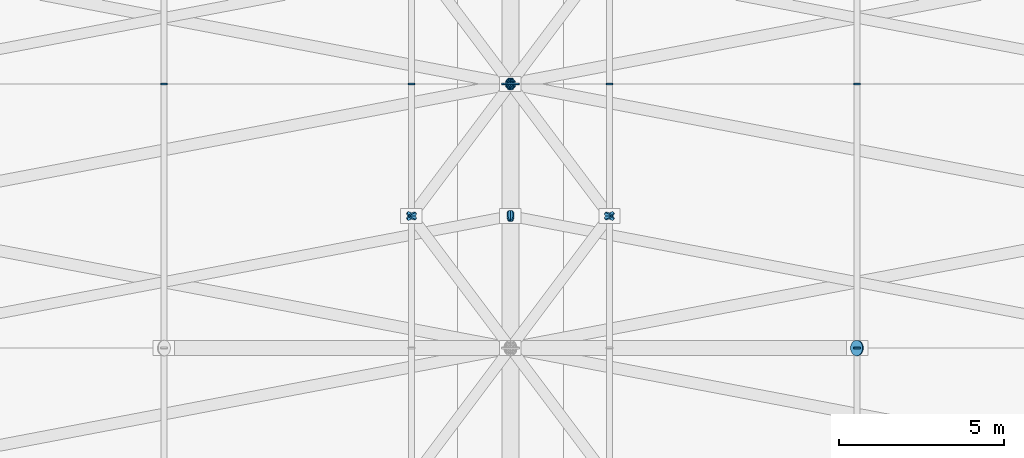
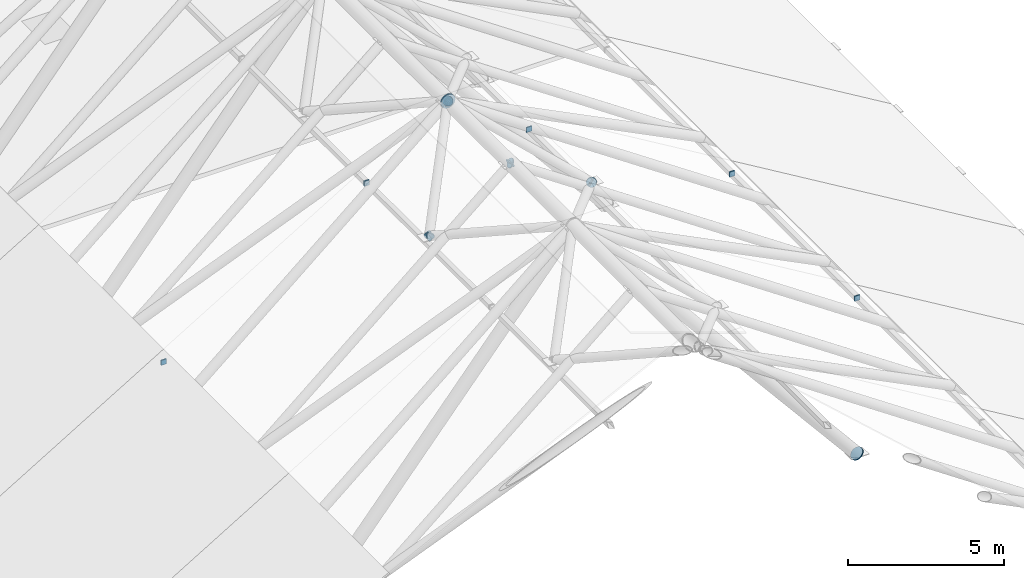
# One storey, part 33 of 44: 27 discrete accessories.
"""IFC4 building model written with IfcOpenShell, lengths in metres."""

from ifc_helpers import new_model, si_unit, direction, frame, origin, origin_2d, place, context, subcontext, project, spatial, rectangle, circle, extrude, material, element, save


model = new_model("IFC4")

# Units and contexts
model_context = context("Model", 3, precision=1e-05, world=origin(), true_north=direction((0.0, 1.0)))
body_context = subcontext(model_context, "Body", "Model", "MODEL_VIEW")
ifc_project = project(units=[si_unit("LENGTHUNIT", "METRE"), si_unit("AREAUNIT", "SQUARE_METRE"), si_unit("VOLUMEUNIT", "CUBIC_METRE"), si_unit("PLANEANGLEUNIT", "RADIAN"), si_unit("MASSUNIT", "GRAM", prefix="KILO")], contexts=[model_context])

# Site, building, storey
site_placement = place(None, origin())
site = spatial("IfcSite", under=ifc_project, at=site_placement, CompositionType="ELEMENT")
building_placement = place(site_placement, origin())
building = spatial("IfcBuilding", under=site, at=building_placement, Name="Marlcrest Central Station", CompositionType="ELEMENT")
storey_placement = place(building_placement, frame((0.0, 0.0, 19.5)))
storey = spatial("IfcBuildingStorey", under=building, at=storey_placement, Name="L04", CompositionType="ELEMENT", Elevation=19.5)

# Discrete accessories
ifc_material = material(Name="Steel S355", Category="steel")
discrete_accessory_1_placement = place(storey_placement, frame((118.509521484375, 86.5, -0.011474609375), z_axis=(-0.640181471429, 0.0, 0.768223719784), x_axis=(0.0, -1.0, 0.0)))
element("IfcDiscreteAccessory", 1, at=discrete_accessory_1_placement, inside=storey, material=ifc_material, Name="endcap-mem-ST-01-L04-02375-s", ObjectType="END_CAP_PLATE", PredefinedType="BRACKET", context=body_context, shape_type="SweptSolid", body=[
    extrude(circle(Radius=0.236572265625, at=origin_2d()), origin(), (0.0, 0.0, 1.0), 0.0400390625),
])
discrete_accessory_2_placement = place(storey_placement, frame((118.5, 86.47509765625, 6.080078125), z_axis=(0.0, 1.0, 0.0), x_axis=(-1.0, 0.0, 0.0)))
element("IfcDiscreteAccessory", 2, at=discrete_accessory_2_placement, inside=storey, material=ifc_material, Name="endcap-mem-PR-03-L04-02499-e", ObjectType="END_CAP_PLATE", PredefinedType="BRACKET", context=body_context, shape_type="SweptSolid", body=[
    extrude(rectangle(XDim=0.196044921875, YDim=0.196044921875, at=origin_2d()), origin(), (0.0, 0.0, 1.0), 0.0400390625),
])
discrete_accessory_3_placement = place(storey_placement, frame((108.0, 94.47509765625, 12.60009765625), z_axis=(0.0, 1.0, 0.0), x_axis=(-1.0, 0.0, 0.0)))
element("IfcDiscreteAccessory", 3, at=discrete_accessory_3_placement, inside=storey, material=ifc_material, Name="endcap-mem-SC-SP-L04-02500-e", ObjectType="END_CAP_PLATE", PredefinedType="BRACKET", context=body_context, shape_type="SweptSolid", body=[
    extrude(circle(Radius=0.261962890625, at=origin_2d()), origin(), (0.0, 0.0, 1.0), 0.0400390625),
])
discrete_accessory_4_placement = place(storey_placement, frame((105.0, 94.47509765625, 10.449951171875), z_axis=(0.0, 1.0, 0.0), x_axis=(-1.0, 0.0, 0.0)))
element("IfcDiscreteAccessory", 4, at=discrete_accessory_4_placement, inside=storey, material=ifc_material, Name="endcap-mem-PR-03-L04-02501-e", ObjectType="END_CAP_PLATE", PredefinedType="BRACKET", context=body_context, shape_type="SweptSolid", body=[
    extrude(rectangle(XDim=0.196044921875, YDim=0.196044921875, at=origin_2d()), origin(), (0.0, 0.0, 1.0), 0.0400390625),
])
for number, where, z_axis, x_axis, name in (
    (5, (105.01416015625, 90.481201171875, 10.80859375), (-0.564530690126, 0.752707586834, -0.338727602401), (-0.8, -0.6, 0.0), "endcap-mem-FB-02-L04-02502-e"),
    (6, (108.008544921875, 94.51123046875, 12.605224609375), (-0.564530690126, -0.752707586834, -0.338727602401), (0.8, -0.6, 0.0), "endcap-mem-FB-02-L04-02503-s"),
    (7, (105.01416015625, 90.518798828125, 10.80859375), (-0.564530690126, -0.752707586834, -0.338727602401), (0.8, -0.6, 0.0), "endcap-mem-FB-02-L04-02503-e"),
):
    element("IfcDiscreteAccessory", number, at=place(storey_placement, frame(where, z_axis=z_axis, x_axis=x_axis)), inside=storey, material=ifc_material, Name=name, ObjectType="END_CAP_PLATE", PredefinedType="BRACKET", context=body_context, shape_type="SweptSolid", body=[
        extrude(circle(Radius=0.169921875, at=origin_2d()), origin(), (0.0, 0.0, 1.0), 0.0400390625),
    ])
discrete_accessory_5_placement = place(storey_placement, frame((111.0, 94.47509765625, 10.449951171875), z_axis=(0.0, 1.0, 0.0), x_axis=(-1.0, 0.0, 0.0)))
element("IfcDiscreteAccessory", 8, at=discrete_accessory_5_placement, inside=storey, material=ifc_material, Name="endcap-mem-PR-03-L04-02504-e", ObjectType="END_CAP_PLATE", PredefinedType="BRACKET", context=body_context, shape_type="SweptSolid", body=[
    extrude(rectangle(XDim=0.196044921875, YDim=0.196044921875, at=origin_2d()), origin(), (0.0, 0.0, 1.0), 0.0400390625),
])
for number, where, z_axis, x_axis, name in (
    (9, (110.98583984375, 90.481201171875, 10.80859375), (0.564530690126, 0.752707586834, -0.338727602401), (-0.8, 0.6, 0.0), "endcap-mem-FB-02-L04-02505-e"),
    (10, (107.991455078125, 94.51123046875, 12.605224609375), (0.564530690126, -0.752707586834, -0.338727602401), (0.8, 0.6, 0.0), "endcap-mem-FB-02-L04-02506-s"),
    (11, (110.98583984375, 90.518798828125, 10.80859375), (0.564530690126, -0.752707586834, -0.338727602401), (0.8, 0.6, 0.0), "endcap-mem-FB-02-L04-02506-e"),
):
    element("IfcDiscreteAccessory", number, at=place(storey_placement, frame(where, z_axis=z_axis, x_axis=x_axis)), inside=storey, material=ifc_material, Name=name, ObjectType="END_CAP_PLATE", PredefinedType="BRACKET", context=body_context, shape_type="SweptSolid", body=[
        extrude(circle(Radius=0.169921875, at=origin_2d()), origin(), (0.0, 0.0, 1.0), 0.0400390625),
    ])
discrete_accessory_6_placement = place(storey_placement, frame((108.0126953125, 94.50244140625, 12.607666015625), z_axis=(-0.846277296716, -0.161195675565, -0.507770313471), x_axis=(0.18711210789, -0.982338566422, 0.0)))
element("IfcDiscreteAccessory", 12, at=discrete_accessory_6_placement, inside=storey, material=ifc_material, Name="endcap-mem-FB-01-L04-02508-s", ObjectType="END_CAP_PLATE", PredefinedType="BRACKET", context=body_context, shape_type="SweptSolid", body=[
    extrude(circle(Radius=0.185791015625, at=origin_2d()), origin(), (0.0, 0.0, 1.0), 0.0400390625),
])
discrete_accessory_7_placement = place(storey_placement, frame((108.0126953125, 90.50244140625, 12.607666015625), z_axis=(-0.846277296716, -0.161195675565, -0.507770313471), x_axis=(0.18711210789, -0.982338566422, 0.0)))
element("IfcDiscreteAccessory", 13, at=discrete_accessory_7_placement, inside=storey, material=ifc_material, Name="endcap-mem-FB-02-L04-02509-s", ObjectType="END_CAP_PLATE", PredefinedType="BRACKET", context=body_context, shape_type="SweptSolid", body=[
    extrude(circle(Radius=0.169921875, at=origin_2d()), origin(), (0.0, 0.0, 1.0), 0.0400390625),
])
discrete_accessory_8_placement = place(storey_placement, frame((97.5, 94.47509765625, 6.080078125), z_axis=(0.0, 1.0, 0.0), x_axis=(-1.0, 0.0, 0.0)))
element("IfcDiscreteAccessory", 14, at=discrete_accessory_8_placement, inside=storey, material=ifc_material, Name="endcap-mem-PR-03-L04-02510-e", ObjectType="END_CAP_PLATE", PredefinedType="BRACKET", context=body_context, shape_type="SweptSolid", body=[
    extrude(rectangle(XDim=0.196044921875, YDim=0.196044921875, at=origin_2d()), origin(), (0.0, 0.0, 1.0), 0.0400390625),
])
discrete_accessory_9_placement = place(storey_placement, frame((107.9873046875, 94.50244140625, 12.607666015625), z_axis=(0.846277296716, -0.161195675565, -0.507770313471), x_axis=(0.18711210789, 0.982338566422, 0.0)))
element("IfcDiscreteAccessory", 15, at=discrete_accessory_9_placement, inside=storey, material=ifc_material, Name="endcap-mem-FB-01-L04-02512-s", ObjectType="END_CAP_PLATE", PredefinedType="BRACKET", context=body_context, shape_type="SweptSolid", body=[
    extrude(circle(Radius=0.185791015625, at=origin_2d()), origin(), (0.0, 0.0, 1.0), 0.0400390625),
])
discrete_accessory_10_placement = place(storey_placement, frame((107.9873046875, 90.50244140625, 12.607666015625), z_axis=(0.846277296716, -0.161195675565, -0.507770313471), x_axis=(0.18711210789, 0.982338566422, 0.0)))
element("IfcDiscreteAccessory", 16, at=discrete_accessory_10_placement, inside=storey, material=ifc_material, Name="endcap-mem-FB-02-L04-02513-s", ObjectType="END_CAP_PLATE", PredefinedType="BRACKET", context=body_context, shape_type="SweptSolid", body=[
    extrude(circle(Radius=0.169921875, at=origin_2d()), origin(), (0.0, 0.0, 1.0), 0.0400390625),
])
for number, where, z_axis, x_axis, name in (
    (17, (118.5, 86.485107421875, 6.080078125), (0.0, 1.0, 0.0), (-1.0, 0.0, 0.0), "endcap-mem-PR-03-L04-02514-s"),
    (18, (118.5, 94.47509765625, 6.080078125), (0.0, 1.0, 0.0), (-1.0, 0.0, 0.0), "endcap-mem-PR-03-L04-02514-e"),
):
    element("IfcDiscreteAccessory", number, at=place(storey_placement, frame(where, z_axis=z_axis, x_axis=x_axis)), inside=storey, material=ifc_material, Name=name, ObjectType="END_CAP_PLATE", PredefinedType="BRACKET", context=body_context, shape_type="SweptSolid", body=[
        extrude(rectangle(XDim=0.196044921875, YDim=0.196044921875, at=origin_2d()), origin(), (0.0, 0.0, 1.0), 0.0400390625),
    ])
discrete_accessory_11_placement = place(storey_placement, frame((108.0, 94.485107421875, 12.60009765625), z_axis=(0.0, 1.0, 0.0), x_axis=(-1.0, 0.0, 0.0)))
element("IfcDiscreteAccessory", 19, at=discrete_accessory_11_placement, inside=storey, material=ifc_material, Name="endcap-mem-SC-SP-L04-02515-s", ObjectType="END_CAP_PLATE", PredefinedType="BRACKET", context=body_context, shape_type="SweptSolid", body=[
    extrude(circle(Radius=0.261962890625, at=origin_2d()), origin(), (0.0, 0.0, 1.0), 0.0400390625),
])
discrete_accessory_12_placement = place(storey_placement, frame((105.0, 94.485107421875, 10.449951171875), z_axis=(0.0, 1.0, 0.0), x_axis=(-1.0, 0.0, 0.0)))
element("IfcDiscreteAccessory", 20, at=discrete_accessory_12_placement, inside=storey, material=ifc_material, Name="endcap-mem-PR-03-L04-02516-s", ObjectType="END_CAP_PLATE", PredefinedType="BRACKET", context=body_context, shape_type="SweptSolid", body=[
    extrude(rectangle(XDim=0.196044921875, YDim=0.196044921875, at=origin_2d()), origin(), (0.0, 0.0, 1.0), 0.0400390625),
])
discrete_accessory_13_placement = place(storey_placement, frame((108.008544921875, 94.48876953125, 12.605224609375), z_axis=(-0.564530690126, 0.752707586834, -0.338727602401), x_axis=(-0.8, -0.6, 0.0)))
element("IfcDiscreteAccessory", 21, at=discrete_accessory_13_placement, inside=storey, material=ifc_material, Name="endcap-mem-FB-02-L04-02517-s", ObjectType="END_CAP_PLATE", PredefinedType="BRACKET", context=body_context, shape_type="SweptSolid", body=[
    extrude(circle(Radius=0.169921875, at=origin_2d()), origin(), (0.0, 0.0, 1.0), 0.0400390625),
])
discrete_accessory_14_placement = place(storey_placement, frame((111.0, 94.485107421875, 10.449951171875), z_axis=(0.0, 1.0, 0.0), x_axis=(-1.0, 0.0, 0.0)))
element("IfcDiscreteAccessory", 22, at=discrete_accessory_14_placement, inside=storey, material=ifc_material, Name="endcap-mem-PR-03-L04-02519-s", ObjectType="END_CAP_PLATE", PredefinedType="BRACKET", context=body_context, shape_type="SweptSolid", body=[
    extrude(rectangle(XDim=0.196044921875, YDim=0.196044921875, at=origin_2d()), origin(), (0.0, 0.0, 1.0), 0.0400390625),
])
discrete_accessory_15_placement = place(storey_placement, frame((107.991455078125, 94.48876953125, 12.605224609375), z_axis=(0.564530690126, 0.752707586834, -0.338727602401), x_axis=(-0.8, 0.6, 0.0)))
element("IfcDiscreteAccessory", 23, at=discrete_accessory_15_placement, inside=storey, material=ifc_material, Name="endcap-mem-FB-02-L04-02520-s", ObjectType="END_CAP_PLATE", PredefinedType="BRACKET", context=body_context, shape_type="SweptSolid", body=[
    extrude(circle(Radius=0.169921875, at=origin_2d()), origin(), (0.0, 0.0, 1.0), 0.0400390625),
])
discrete_accessory_16_placement = place(storey_placement, frame((108.0126953125, 94.49755859375, 12.607666015625), z_axis=(-0.846277296716, 0.161195675565, -0.507770313471), x_axis=(-0.18711210789, -0.982338566422, 0.0)))
element("IfcDiscreteAccessory", 24, at=discrete_accessory_16_placement, inside=storey, material=ifc_material, Name="endcap-mem-FB-01-L04-02522-s", ObjectType="END_CAP_PLATE", PredefinedType="BRACKET", context=body_context, shape_type="SweptSolid", body=[
    extrude(circle(Radius=0.185791015625, at=origin_2d()), origin(), (0.0, 0.0, 1.0), 0.0400390625),
])
discrete_accessory_17_placement = place(storey_placement, frame((97.5, 94.485107421875, 6.080078125), z_axis=(0.0, 1.0, 0.0), x_axis=(-1.0, 0.0, 0.0)))
element("IfcDiscreteAccessory", 25, at=discrete_accessory_17_placement, inside=storey, material=ifc_material, Name="endcap-mem-PR-03-L04-02525-s", ObjectType="END_CAP_PLATE", PredefinedType="BRACKET", context=body_context, shape_type="SweptSolid", body=[
    extrude(rectangle(XDim=0.196044921875, YDim=0.196044921875, at=origin_2d()), origin(), (0.0, 0.0, 1.0), 0.0400390625),
])
discrete_accessory_18_placement = place(storey_placement, frame((107.9873046875, 94.49755859375, 12.607666015625), z_axis=(0.846277296716, 0.161195675565, -0.507770313471), x_axis=(-0.18711210789, 0.982338566422, 0.0)))
element("IfcDiscreteAccessory", 26, at=discrete_accessory_18_placement, inside=storey, material=ifc_material, Name="endcap-mem-FB-01-L04-02526-s", ObjectType="END_CAP_PLATE", PredefinedType="BRACKET", context=body_context, shape_type="SweptSolid", body=[
    extrude(circle(Radius=0.185791015625, at=origin_2d()), origin(), (0.0, 0.0, 1.0), 0.0400390625),
])
discrete_accessory_19_placement = place(storey_placement, frame((118.5, 94.485107421875, 6.080078125), z_axis=(0.0, 1.0, 0.0), x_axis=(-1.0, 0.0, 0.0)))
element("IfcDiscreteAccessory", 27, at=discrete_accessory_19_placement, inside=storey, material=ifc_material, Name="endcap-mem-PR-03-L04-02529-s", ObjectType="END_CAP_PLATE", PredefinedType="BRACKET", context=body_context, shape_type="SweptSolid", body=[
    extrude(rectangle(XDim=0.196044921875, YDim=0.196044921875, at=origin_2d()), origin(), (0.0, 0.0, 1.0), 0.0400390625),
])

save(model, "model.ifc")
